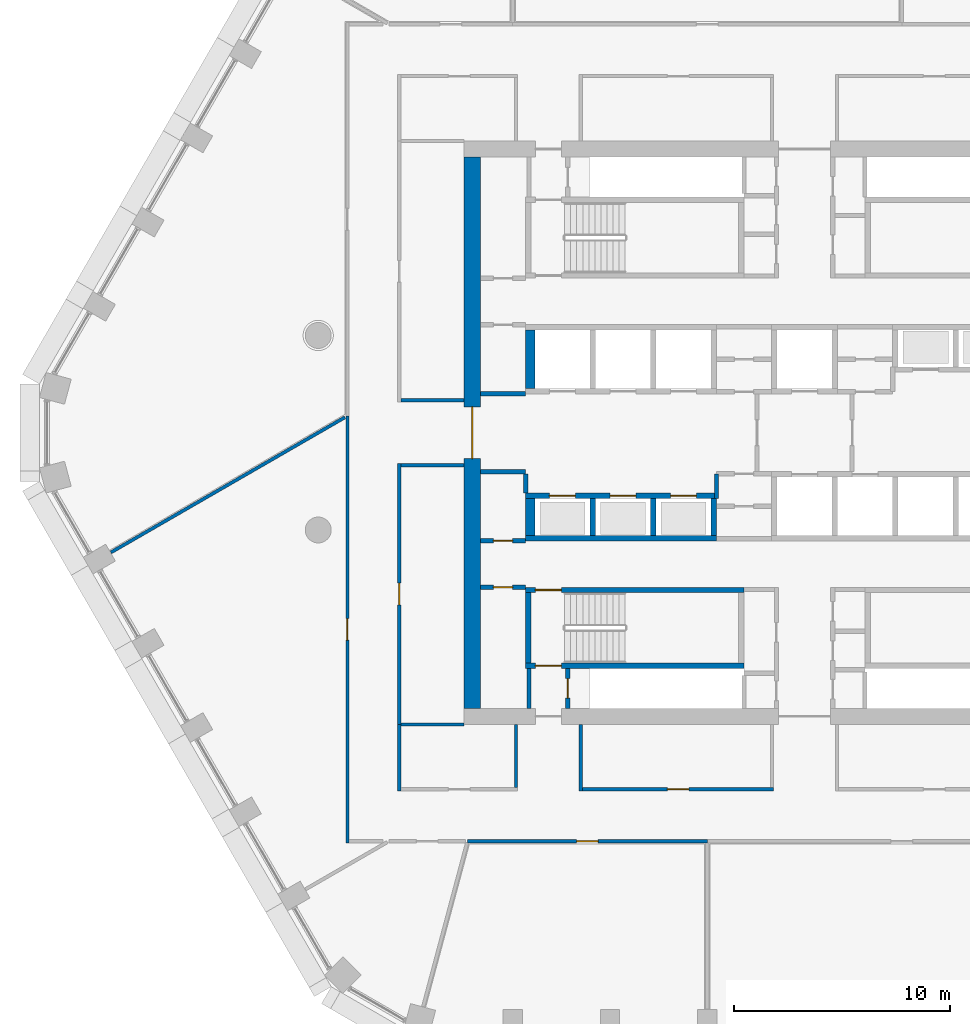
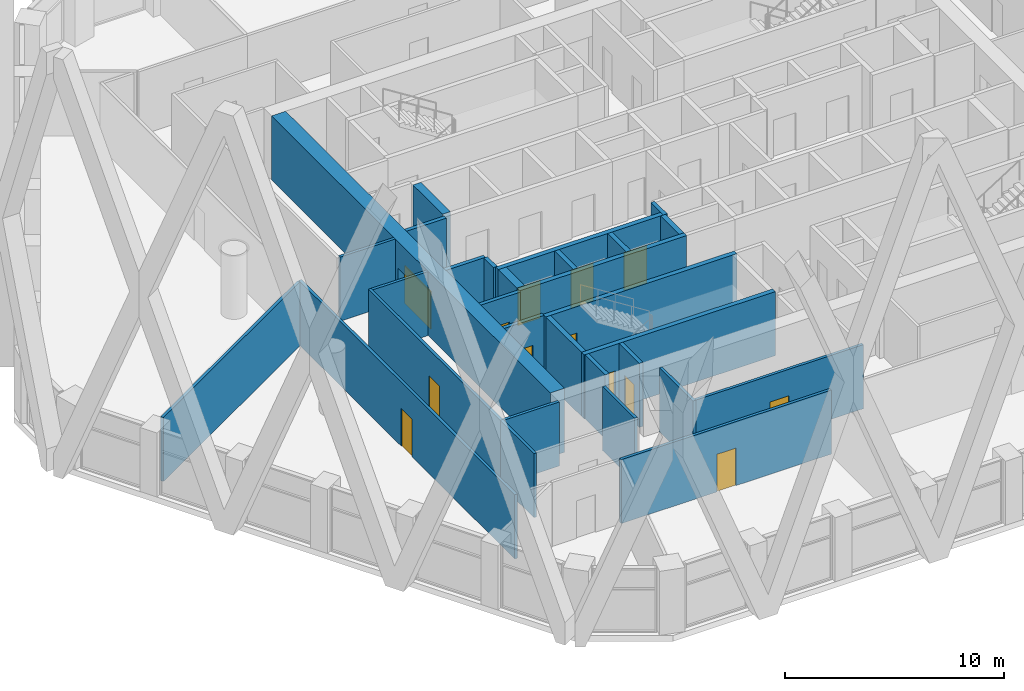
# One storey, part 9 of 24: 30 walls, 13 doors, 13 openings.
"""IFC4 building model written with IfcOpenShell, lengths in metres."""

from ifc_helpers import new_model, si_unit, direction, frame, frame_2d, origin, place, context, subcontext, project, spatial, polyline, rectangle, outline, extrude, material, layer, layer_set, type_object, element, fill, save


model = new_model("IFC4")

# Units and contexts
model_context = context("Model", 3, precision=1e-05, world=origin(), true_north=direction((0.0, 1.0)))
body_context = subcontext(model_context, "Body", "Model", "MODEL_VIEW")
ifc_project = project(units=[si_unit("LENGTHUNIT", "METRE"), si_unit("AREAUNIT", "SQUARE_METRE"), si_unit("VOLUMEUNIT", "CUBIC_METRE"), si_unit("PLANEANGLEUNIT", "RADIAN"), si_unit("MASSUNIT", "GRAM", prefix="KILO")], contexts=[model_context])

# Site, building, storey
site_placement = place(None, origin())
site = spatial("IfcSite", under=ifc_project, at=site_placement, CompositionType="ELEMENT")
building_placement = place(site_placement, origin())
building = spatial("IfcBuilding", under=site, at=building_placement, Name="Dhurran Vertical Campus", CompositionType="ELEMENT")
storey_placement = place(building_placement, frame((0.0, 0.0, 132.60009765625)))
storey = spatial("IfcBuildingStorey", under=building, at=storey_placement, Name="L32", CompositionType="ELEMENT", Elevation=132.60009765625)

# Wall, opening, door
ifc_material_1 = material(Name="Concrete C60/75", Category="concrete")
ifc_layer_1 = layer(ifc_material_1, 0.75)
ifc_layer_set_1 = layer_set([ifc_layer_1], Name="Concrete C60/75")
wall_type_1 = type_object("IfcWallType", Name="co-CORE-WALL-C1-750", PredefinedType="SHEAR", material=ifc_layer_set_1)
wall_1_placement = place(storey_placement, frame((-15.375, -12.75, 0.0), z_axis=(0.0, 0.0, 1.0), x_axis=(0.0, 1.0, 0.0)))
wall_1 = element("IfcWall", 1, at=wall_1_placement, inside=storey, type_object=wall_type_1, Name="Core wall W L32", PredefinedType="SHEAR", context=body_context, shape_type="SweptSolid", body=[
    extrude(rectangle(XDim=25.5, YDim=0.75, at=frame_2d((12.75, 0.0))), origin(), (0.0, 0.0, 1.0), 3.574951171875),
])
opening_1_placement = place(wall_1_placement, frame((11.550048828125, 0.0, 0.0)))
opening_1 = element("IfcOpeningElement", 2, at=opening_1_placement, cuts=wall_1, Name="Opening CL1", PredefinedType="OPENING", context=body_context, shape_type="SweptSolid", body=[
    extrude(rectangle(XDim=2.39990234375, YDim=2.10009765625, at=frame_2d((1.199951171875, 1.050048828125))), frame((0.0, 0.385009765625, 0.0), z_axis=(0.0, -1.0, 0.0), x_axis=(1.0, 0.0, 0.0)), (0.0, 0.0, 1.0), 0.77001953125),
])
ifc_material_2 = material(Name="Fire-rated glazed door set")
door_type_1 = type_object("IfcDoorType", Name="co-D-LOBBY 2400x2100", OperationType="DOUBLE_DOOR_DOUBLE_SWING", PredefinedType="DOOR", material=ifc_material_2)
door_1_placement = place(opening_1_placement, origin())
door_1 = element("IfcDoor", 3, at=door_1_placement, inside=storey, type_object=door_type_1, Name="Lift lobby door W L32", OperationType="DOUBLE_DOOR_DOUBLE_SWING", OverallHeight=2.10009765625, OverallWidth=2.39990234375, PredefinedType="DOOR", context=body_context, shape_type="SweptSolid", body=[
    extrude(rectangle(XDim=2.39990234375, YDim=2.10009765625, at=frame_2d((1.199951171875, 1.050048828125))), frame((0.0, 0.02490234375, 0.0), z_axis=(0.0, -1.0, 0.0), x_axis=(1.0, 0.0, 0.0)), (0.0, 0.0, 1.0), 0.050048828125),
])
fill(opening_1, door_1)

# Wall
ifc_material_3 = material(Name="Fire-rated masonry blockwork", Category="masonry")
ifc_layer_2 = layer(ifc_material_3, 0.199951171875)
ifc_layer_set_2 = layer_set([ifc_layer_2], Name="Fire-rated masonry blockwork")
wall_type_2 = type_object("IfcWallType", Name="co-FIRE-PARTITION-200", PredefinedType="PARTITIONING", material=ifc_layer_set_2)
wall_2_placement = place(storey_placement, frame((-12.75, -12.75, 0.0), z_axis=(0.0, 0.0, 1.0), x_axis=(0.0, 1.0, 0.0)))
element("IfcWall", 4, at=wall_2_placement, inside=storey, type_object=wall_type_2, Name="Core partition pass-ST3-o L32", PredefinedType="PARTITIONING", context=body_context, shape_type="SweptSolid", body=[
    extrude(rectangle(XDim=1.85009765625, YDim=0.199951171875, at=frame_2d((0.925048828125, 0.0))), origin(), (0.0, 0.0, 1.0), 3.574951171875),
])

# Wall, opening, door
wall_3_placement = place(storey_placement, frame((-10.949951171875, -12.75, 0.0), z_axis=(0.0, 0.0, 1.0), x_axis=(0.0, 1.0, 0.0)))
wall_3 = element("IfcWall", 5, at=wall_3_placement, inside=storey, type_object=wall_type_2, Name="Core partition pass-ST3-i L32", PredefinedType="PARTITIONING", context=body_context, shape_type="SweptSolid", body=[
    extrude(rectangle(XDim=1.85009765625, YDim=0.199951171875, at=frame_2d((0.925048828125, 0.0))), origin(), (0.0, 0.0, 1.0), 3.574951171875),
])
opening_2_placement = place(wall_3_placement, frame((0.47509765625, 0.0, 0.0)))
opening_2 = element("IfcOpeningElement", 6, at=opening_2_placement, cuts=wall_3, Name="Opening T09-C13", PredefinedType="OPENING", context=body_context, shape_type="SweptSolid", body=[
    extrude(rectangle(XDim=0.89990234375, YDim=2.10009765625, at=frame_2d((0.449951171875, 1.050048828125))), frame((0.0, 0.10986328125, 0.0), z_axis=(0.0, -1.0, 0.0), x_axis=(1.0, 0.0, 0.0)), (0.0, 0.0, 1.0), 0.219970703125),
])
ifc_material_4 = material(Name="Fire-rated timber door set", Category="wood")
door_type_2 = type_object("IfcDoorType", Name="co-D-ROOM 900x2100", OperationType="SINGLE_SWING_LEFT", PredefinedType="DOOR", material=ifc_material_4)
door_2_placement = place(opening_2_placement, origin())
door_2 = element("IfcDoor", 7, at=door_2_placement, inside=storey, type_object=door_type_2, Name="Riser room door L32", OperationType="SINGLE_SWING_LEFT", OverallHeight=2.10009765625, OverallWidth=0.89990234375, PredefinedType="DOOR", context=body_context, shape_type="SweptSolid", body=[
    extrude(rectangle(XDim=0.89990234375, YDim=2.10009765625, at=frame_2d((0.449951171875, 1.050048828125))), frame((0.0, 0.02490234375, 0.0), z_axis=(0.0, -1.0, 0.0), x_axis=(1.0, 0.0, 0.0)), (0.0, 0.0, 1.0), 0.050048828125),
])
fill(opening_2, door_2)

# Wall
wall_4_placement = place(storey_placement, frame((-15.0, 1.800048828125, 0.0), z_axis=(0.0, 0.0, 1.0), x_axis=(1.0, 0.0, 0.0)))
element("IfcWall", 8, at=wall_4_placement, inside=storey, type_object=wall_type_2, Name="Core partition es-NW-l L32", PredefinedType="PARTITIONING", context=body_context, shape_type="SweptSolid", body=[
    extrude(rectangle(XDim=2.10009765625, YDim=0.199951171875, at=frame_2d((1.050048828125, 0.0))), origin(), (0.0, 0.0, 1.0), 3.574951171875),
])

# Wall, opening, door
wall_5_placement = place(storey_placement, frame((-15.0, -7.14990234375, 0.0), z_axis=(0.0, 0.0, 1.0), x_axis=(1.0, 0.0, 0.0)))
wall_5 = element("IfcWall", 9, at=wall_5_placement, inside=storey, type_object=wall_type_2, Name="Core partition en-SW-w L32", PredefinedType="PARTITIONING", context=body_context, shape_type="SweptSolid", body=[
    extrude(rectangle(XDim=2.10009765625, YDim=0.199951171875, at=frame_2d((1.050048828125, 0.0))), origin(), (0.0, 0.0, 1.0), 3.574951171875),
])
opening_3_placement = place(wall_5_placement, frame((0.60009765625, 0.0, 0.0)))
opening_3 = element("IfcOpeningElement", 10, at=opening_3_placement, cuts=wall_5, Name="Opening T09-C19", PredefinedType="OPENING", context=body_context, shape_type="SweptSolid", body=[
    extrude(rectangle(XDim=0.89990234375, YDim=2.10009765625, at=frame_2d((0.449951171875, 1.050048828125))), frame((0.0, 0.10986328125, 0.0), z_axis=(0.0, -1.0, 0.0), x_axis=(1.0, 0.0, 0.0)), (0.0, 0.0, 1.0), 0.219970703125),
])
door_3_placement = place(opening_3_placement, origin())
door_3 = element("IfcDoor", 11, at=door_3_placement, inside=storey, type_object=door_type_2, Name="Print room door L32", OperationType="SINGLE_SWING_LEFT", OverallHeight=2.10009765625, OverallWidth=0.89990234375, PredefinedType="DOOR", context=body_context, shape_type="SweptSolid", body=[
    extrude(rectangle(XDim=0.89990234375, YDim=2.10009765625, at=frame_2d((0.449951171875, 1.050048828125))), frame((0.0, 0.02490234375, 0.0), z_axis=(0.0, -1.0, 0.0), x_axis=(1.0, 0.0, 0.0)), (0.0, 0.0, 1.0), 0.050048828125),
])
fill(opening_3, door_3)

wall_6_placement = place(storey_placement, frame((-15.0, -5.0, 0.0), z_axis=(0.0, 0.0, 1.0), x_axis=(1.0, 0.0, 0.0)))
wall_6 = element("IfcWall", 12, at=wall_6_placement, inside=storey, type_object=wall_type_2, Name="Core partition es-SW-w L32", PredefinedType="PARTITIONING", context=body_context, shape_type="SweptSolid", body=[
    extrude(rectangle(XDim=2.10009765625, YDim=0.199951171875, at=frame_2d((1.050048828125, 0.0))), origin(), (0.0, 0.0, 1.0), 3.574951171875),
])
opening_4_placement = place(wall_6_placement, frame((0.60009765625, 0.0, 0.0)))
opening_4 = element("IfcOpeningElement", 13, at=opening_4_placement, cuts=wall_6, Name="Opening T09-C20", PredefinedType="OPENING", context=body_context, shape_type="SweptSolid", body=[
    extrude(rectangle(XDim=0.89990234375, YDim=2.10009765625, at=frame_2d((0.449951171875, 1.050048828125))), frame((0.0, 0.10986328125, 0.0), z_axis=(0.0, -1.0, 0.0), x_axis=(1.0, 0.0, 0.0)), (0.0, 0.0, 1.0), 0.219970703125),
])
door_4_placement = place(opening_4_placement, origin())
door_4 = element("IfcDoor", 14, at=door_4_placement, inside=storey, type_object=door_type_2, Name="Water riser door L32", OperationType="SINGLE_SWING_LEFT", OverallHeight=2.10009765625, OverallWidth=0.89990234375, PredefinedType="DOOR", context=body_context, shape_type="SweptSolid", body=[
    extrude(rectangle(XDim=0.89990234375, YDim=2.10009765625, at=frame_2d((0.449951171875, 1.050048828125))), frame((0.0, 0.02490234375, 0.0), z_axis=(0.0, -1.0, 0.0), x_axis=(1.0, 0.0, 0.0)), (0.0, 0.0, 1.0), 0.050048828125),
])
fill(opening_4, door_4)

# Walls
wall_7_placement = place(storey_placement, frame((-15.0, -1.800048828125, 0.0), z_axis=(0.0, 0.0, 1.0), x_axis=(1.0, 0.0, 0.0)))
element("IfcWall", 15, at=wall_7_placement, inside=storey, type_object=wall_type_2, Name="Core partition es-SW-l L32", PredefinedType="PARTITIONING", context=body_context, shape_type="SweptSolid", body=[
    extrude(rectangle(XDim=2.10009765625, YDim=0.199951171875, at=frame_2d((1.050048828125, 0.0))), origin(), (0.0, 0.0, 1.0), 3.574951171875),
])
wall_8_placement = place(storey_placement, frame((-4.074951171875, -1.89990234375, 0.0), z_axis=(0.0, 0.0, 1.0), x_axis=(0.0, -1.0, 0.0)))
element("IfcWall", 16, at=wall_8_placement, inside=storey, type_object=wall_type_2, Name="Core partition fr-S0-n0 L32", PredefinedType="PARTITIONING", context=body_context, shape_type="SweptSolid", body=[
    extrude(rectangle(XDim=1.150146484375, YDim=0.199951171875, at=frame_2d((0.5751953125, 0.0))), origin(), (0.0, 0.0, 1.0), 3.574951171875),
])
wall_9_placement = place(storey_placement, frame((-12.89990234375, -2.799072265625, 0.0), z_axis=(0.0, 0.0, 1.0), x_axis=(0.0, 1.0, 0.0)))
element("IfcWall", 17, at=wall_9_placement, inside=storey, type_object=wall_type_2, Name="Riser enclosure wall L32", PredefinedType="PARTITIONING", context=body_context, shape_type="SweptSolid", body=[
    extrude(rectangle(XDim=0.898193359375, YDim=0.199951171875, at=frame_2d((0.44921875, 0.0))), origin(), (0.0, 0.0, 1.0), 3.574951171875),
])

# Wall, openings, doors
ifc_material_5 = material(Name="Concrete C50/60", Category="concrete")
ifc_layer_3 = layer(ifc_material_5, 0.25)
ifc_layer_set_3 = layer_set([ifc_layer_3], Name="Concrete C50/60")
wall_type_3 = type_object("IfcWallType", Name="co-SHAFT-FRONT-250", PredefinedType="SHEAR", material=ifc_layer_set_3)
wall_10_placement = place(storey_placement, frame((-12.89990234375, -2.925048828125, 0.0), z_axis=(0.0, 0.0, 1.0), x_axis=(1.0, 0.0, 0.0)))
wall_10 = element("IfcWall", 18, at=wall_10_placement, inside=storey, type_object=wall_type_3, Name="Lift landing wall S L32", PredefinedType="SHEAR", context=body_context, shape_type="SweptSolid", body=[
    extrude(rectangle(XDim=8.824951171875, YDim=0.25, at=frame_2d((4.41259765625, 0.0))), origin(), (0.0, 0.0, 1.0), 3.574951171875),
])
opening_5_placement = place(wall_10_placement, frame((1.10009765625, 0.0, 0.0)))
opening_5 = element("IfcOpeningElement", 19, at=opening_5_placement, cuts=wall_10, Name="Opening LD", PredefinedType="OPENING", context=body_context, shape_type="SweptSolid", body=[
    extrude(rectangle(XDim=1.199951171875, YDim=2.10009765625, at=frame_2d((0.60009765625, 1.050048828125))), frame((0.0, 0.135009765625, 0.0), z_axis=(0.0, -1.0, 0.0), x_axis=(1.0, 0.0, 0.0)), (0.0, 0.0, 1.0), 0.27001953125),
])
opening_6_placement = place(wall_10_placement, frame((3.89990234375, 0.0, 0.0)))
opening_6 = element("IfcOpeningElement", 20, at=opening_6_placement, cuts=wall_10, Name="Opening LD", PredefinedType="OPENING", context=body_context, shape_type="SweptSolid", body=[
    extrude(rectangle(XDim=1.199951171875, YDim=2.10009765625, at=frame_2d((0.60009765625, 1.050048828125))), frame((0.0, 0.135009765625, 0.0), z_axis=(0.0, -1.0, 0.0), x_axis=(1.0, 0.0, 0.0)), (0.0, 0.0, 1.0), 0.27001953125),
])
opening_7_placement = place(wall_10_placement, frame((6.699951171875, 0.0, 0.0)))
opening_7 = element("IfcOpeningElement", 21, at=opening_7_placement, cuts=wall_10, Name="Opening LD", PredefinedType="OPENING", context=body_context, shape_type="SweptSolid", body=[
    extrude(rectangle(XDim=1.199951171875, YDim=2.10009765625, at=frame_2d((0.60009765625, 1.050048828125))), frame((0.0, 0.135009765625, 0.0), z_axis=(0.0, -1.0, 0.0), x_axis=(1.0, 0.0, 0.0)), (0.0, 0.0, 1.0), 0.27001953125),
])
ifc_material_6 = material(Name="Stainless steel landing door", Category="steel")
door_type_3 = type_object("IfcDoorType", Name="co-D-LANDING 1200x2100", OperationType="DOUBLE_DOOR_SLIDING", PredefinedType="DOOR", material=ifc_material_6)
door_5_placement = place(opening_5_placement, origin())
door_5 = element("IfcDoor", 22, at=door_5_placement, inside=storey, type_object=door_type_3, Name="Landing door MR3 L32", OperationType="DOUBLE_DOOR_SLIDING", OverallHeight=2.10009765625, OverallWidth=1.199951171875, PredefinedType="DOOR", context=body_context, shape_type="SweptSolid", body=[
    extrude(rectangle(XDim=1.199951171875, YDim=2.10009765625, at=frame_2d((0.60009765625, 1.050048828125))), frame((0.0, 0.02490234375, 0.0), z_axis=(0.0, -1.0, 0.0), x_axis=(1.0, 0.0, 0.0)), (0.0, 0.0, 1.0), 0.050048828125),
])
fill(opening_5, door_5)
door_6_placement = place(opening_6_placement, origin())
door_6 = element("IfcDoor", 23, at=door_6_placement, inside=storey, type_object=door_type_3, Name="Landing door MR4 L32", OperationType="DOUBLE_DOOR_SLIDING", OverallHeight=2.10009765625, OverallWidth=1.199951171875, PredefinedType="DOOR", context=body_context, shape_type="SweptSolid", body=[
    extrude(rectangle(XDim=1.199951171875, YDim=2.10009765625, at=frame_2d((0.60009765625, 1.050048828125))), frame((0.0, 0.02490234375, 0.0), z_axis=(0.0, -1.0, 0.0), x_axis=(1.0, 0.0, 0.0)), (0.0, 0.0, 1.0), 0.050048828125),
])
fill(opening_6, door_6)
door_7_placement = place(opening_7_placement, origin())
door_7 = element("IfcDoor", 24, at=door_7_placement, inside=storey, type_object=door_type_3, Name="Landing door MR5 L32", OperationType="DOUBLE_DOOR_SLIDING", OverallHeight=2.10009765625, OverallWidth=1.199951171875, PredefinedType="DOOR", context=body_context, shape_type="SweptSolid", body=[
    extrude(rectangle(XDim=1.199951171875, YDim=2.10009765625, at=frame_2d((0.60009765625, 1.050048828125))), frame((0.0, 0.02490234375, 0.0), z_axis=(0.0, -1.0, 0.0), x_axis=(1.0, 0.0, 0.0)), (0.0, 0.0, 1.0), 0.050048828125),
])
fill(opening_7, door_7)

# Walls
ifc_material_7 = material(Name="Concrete C50/60", Category="concrete")
ifc_layer_4 = layer(ifc_material_7, 0.25)
ifc_layer_set_4 = layer_set([ifc_layer_4], Name="Concrete C50/60")
wall_type_4 = type_object("IfcWallType", Name="co-SHAFT-MASS-250", PredefinedType="SHEAR", material=ifc_layer_set_4)
wall_11_placement = place(storey_placement, origin())
element("IfcWall", 25, at=wall_11_placement, inside=storey, type_object=wall_type_4, Name="Lift shaft wall N L32 4", PredefinedType="SHEAR", context=body_context, shape_type="SweptSolid", body=[
    extrude(outline(polyline([(-12.89990234375, 2.050048828125), (-12.47509765625, 2.050048828125), (-12.47509765625, 4.75), (-12.89990234375, 4.75), (-12.89990234375, 2.050048828125)])), origin(), (0.0, 0.0, 1.0), 3.574951171875),
])
wall_12_placement = place(storey_placement, origin())
element("IfcWall", 26, at=wall_12_placement, inside=storey, type_object=wall_type_4, Name="Lift shaft wall S L32 1", PredefinedType="SHEAR", context=body_context, shape_type="SweptSolid", body=[
    extrude(outline(polyline([(-12.89990234375, -5.0), (-4.074951171875, -5.0), (-4.074951171875, -4.75), (-12.89990234375, -4.75), (-12.89990234375, -5.0)])), origin(), (0.0, 0.0, 1.0), 3.574951171875),
])
wall_13_placement = place(storey_placement, origin())
element("IfcWall", 27, at=wall_13_placement, inside=storey, type_object=wall_type_4, Name="Lift shaft wall S L32 3", PredefinedType="SHEAR", context=body_context, shape_type="SweptSolid", body=[
    extrude(outline(polyline([(-12.89990234375, -4.75), (-12.47509765625, -4.75), (-12.47509765625, -3.050048828125), (-12.89990234375, -3.050048828125), (-12.89990234375, -4.75)])), origin(), (0.0, 0.0, 1.0), 3.574951171875),
])
wall_14_placement = place(storey_placement, origin())
element("IfcWall", 28, at=wall_14_placement, inside=storey, type_object=wall_type_4, Name="Lift shaft wall S L32 4", PredefinedType="SHEAR", context=body_context, shape_type="SweptSolid", body=[
    extrude(outline(polyline([(-9.925048828125, -4.75), (-9.675048828125, -4.75), (-9.675048828125, -3.050048828125), (-9.925048828125, -3.050048828125), (-9.925048828125, -4.75)])), origin(), (0.0, 0.0, 1.0), 3.574951171875),
])
wall_15_placement = place(storey_placement, origin())
element("IfcWall", 29, at=wall_15_placement, inside=storey, type_object=wall_type_4, Name="Lift shaft wall S L32 5", PredefinedType="SHEAR", context=body_context, shape_type="SweptSolid", body=[
    extrude(outline(polyline([(-7.125, -4.75), (-6.875, -4.75), (-6.875, -3.050048828125), (-7.125, -3.050048828125), (-7.125, -4.75)])), origin(), (0.0, 0.0, 1.0), 3.574951171875),
])
wall_16_placement = place(storey_placement, origin())
element("IfcWall", 30, at=wall_16_placement, inside=storey, type_object=wall_type_4, Name="Lift shaft wall S L32 6", PredefinedType="SHEAR", context=body_context, shape_type="SweptSolid", body=[
    extrude(outline(polyline([(-4.324951171875, -4.75), (-4.074951171875, -4.75), (-4.074951171875, -3.050048828125), (-4.324951171875, -3.050048828125), (-4.324951171875, -4.75)])), origin(), (0.0, 0.0, 1.0), 3.574951171875),
])

# Wall, opening, door
ifc_material_8 = material(Name="Concrete C40/50", Category="concrete")
ifc_layer_5 = layer(ifc_material_8, 0.25)
ifc_layer_set_5 = layer_set([ifc_layer_5], Name="Concrete C40/50")
wall_type_5 = type_object("IfcWallType", Name="co-STAIR-WALL-250", PredefinedType="SHEAR", material=ifc_layer_set_5)
wall_17_placement = place(storey_placement, frame((-12.89990234375, -10.77490234375, 0.0), z_axis=(0.0, 0.0, 1.0), x_axis=(1.0, 0.0, 0.0)))
wall_17 = element("IfcWall", 31, at=wall_17_placement, inside=storey, type_object=wall_type_5, Name="Stair ST3 enclosure wall L32", PredefinedType="SHEAR", context=body_context, shape_type="SweptSolid", body=[
    extrude(rectangle(XDim=10.099853515625, YDim=0.25, at=frame_2d((5.0498046875, 0.0))), origin(), (0.0, 0.0, 1.0), 3.574951171875),
])
opening_8_placement = place(wall_17_placement, frame((0.449951171875, 0.0, 0.0)))
opening_8 = element("IfcOpeningElement", 32, at=opening_8_placement, cuts=wall_17, Name="Opening XS3", PredefinedType="OPENING", context=body_context, shape_type="SweptSolid", body=[
    extrude(rectangle(XDim=1.199951171875, YDim=2.10009765625, at=frame_2d((0.60009765625, 1.050048828125))), frame((0.0, 0.135009765625, 0.0), z_axis=(0.0, -1.0, 0.0), x_axis=(1.0, 0.0, 0.0)), (0.0, 0.0, 1.0), 0.27001953125),
])
ifc_material_9 = material(Name="Fire-rated steel door set", Category="steel")
door_type_4 = type_object("IfcDoorType", Name="co-D-STAIR-EXIT 1200x2100", OperationType="SINGLE_SWING_RIGHT", PredefinedType="DOOR", material=ifc_material_9)
door_8_placement = place(opening_8_placement, origin())
door_8 = element("IfcDoor", 33, at=door_8_placement, inside=storey, type_object=door_type_4, Name="Stair ST3 discharge door L32", OperationType="SINGLE_SWING_RIGHT", OverallHeight=2.10009765625, OverallWidth=1.199951171875, PredefinedType="DOOR", context=body_context, shape_type="SweptSolid", body=[
    extrude(rectangle(XDim=1.199951171875, YDim=2.10009765625, at=frame_2d((0.60009765625, 1.050048828125))), frame((0.0, 0.02490234375, 0.0), z_axis=(0.0, -1.0, 0.0), x_axis=(1.0, 0.0, 0.0)), (0.0, 0.0, 1.0), 0.050048828125),
])
fill(opening_8, door_8)

wall_18_placement = place(storey_placement, frame((-12.89990234375, -7.27490234375, 0.0), z_axis=(0.0, 0.0, 1.0), x_axis=(1.0, 0.0, 0.0)))
wall_18 = element("IfcWall", 34, at=wall_18_placement, inside=storey, type_object=wall_type_5, Name="Stair ST3 enclosure wall L32", PredefinedType="SHEAR", context=body_context, shape_type="SweptSolid", body=[
    extrude(rectangle(XDim=10.099853515625, YDim=0.25, at=frame_2d((5.0498046875, 0.0))), origin(), (0.0, 0.0, 1.0), 3.574951171875),
])
opening_9_placement = place(wall_18_placement, frame((0.449951171875, 0.0, 0.0)))
opening_9 = element("IfcOpeningElement", 35, at=opening_9_placement, cuts=wall_18, Name="Opening SD3", PredefinedType="OPENING", context=body_context, shape_type="SweptSolid", body=[
    extrude(rectangle(XDim=1.199951171875, YDim=2.10009765625, at=frame_2d((0.60009765625, 1.050048828125))), frame((0.0, 0.135009765625, 0.0), z_axis=(0.0, -1.0, 0.0), x_axis=(1.0, 0.0, 0.0)), (0.0, 0.0, 1.0), 0.27001953125),
])
ifc_material_10 = material(Name="Fire-rated steel door set", Category="steel")
door_type_5 = type_object("IfcDoorType", Name="co-D-STAIR 1200x2100", OperationType="SINGLE_SWING_LEFT", PredefinedType="DOOR", material=ifc_material_10)
door_9_placement = place(opening_9_placement, origin())
door_9 = element("IfcDoor", 36, at=door_9_placement, inside=storey, type_object=door_type_5, Name="Stair ST3 door L32", OperationType="SINGLE_SWING_LEFT", OverallHeight=2.10009765625, OverallWidth=1.199951171875, PredefinedType="DOOR", context=body_context, shape_type="SweptSolid", body=[
    extrude(rectangle(XDim=1.199951171875, YDim=2.10009765625, at=frame_2d((0.60009765625, 1.050048828125))), frame((0.0, 0.02490234375, 0.0), z_axis=(0.0, -1.0, 0.0), x_axis=(1.0, 0.0, 0.0)), (0.0, 0.0, 1.0), 0.050048828125),
])
fill(opening_9, door_9)

# Wall
wall_19_placement = place(storey_placement, frame((-12.77490234375, -10.64990234375, 0.0), z_axis=(0.0, 0.0, 1.0), x_axis=(0.0, 1.0, 0.0)))
element("IfcWall", 37, at=wall_19_placement, inside=storey, type_object=wall_type_5, Name="Stair ST3 enclosure wall L32", PredefinedType="SHEAR", context=body_context, shape_type="SweptSolid", body=[
    extrude(rectangle(XDim=3.25, YDim=0.25, at=frame_2d((1.625, 0.0))), origin(), (0.0, 0.0, 1.0), 3.574951171875),
])

# Wall, opening, door
ifc_material_11 = material(Name="Gypsum board corridor wall on steel studs", Category="steel")
ifc_layer_6 = layer(ifc_material_11, 0.14990234375)
ifc_layer_set_6 = layer_set([ifc_layer_6], Name="Gypsum board corridor wall on steel studs")
wall_type_6 = type_object("IfcWallType", Name="fl-CW-150 corridor wall", PredefinedType="PARTITIONING", material=ifc_layer_set_6)
wall_20_placement = place(storey_placement, frame((-21.14990234375, 0.779052734375, 0.0), z_axis=(0.0, 0.0, 1.0), x_axis=(0.0, -1.0, 0.0)))
wall_20 = element("IfcWall", 38, at=wall_20_placement, inside=storey, type_object=wall_type_6, Name="Partition 32-04", PredefinedType="PARTITIONING", context=body_context, shape_type="SweptSolid", body=[
    extrude(rectangle(XDim=19.754150390625, YDim=0.14990234375, at=frame_2d((9.876953125, 0.0))), origin(), (0.0, 0.0, 1.0), 3.574951171875),
])
opening_10_placement = place(wall_20_placement, frame((9.376953125, 0.0, 0.0)))
opening_10 = element("IfcOpeningElement", 39, at=opening_10_placement, cuts=wall_20, Name="Opening T09.02", PredefinedType="OPENING", context=body_context, shape_type="SweptSolid", body=[
    extrude(rectangle(XDim=1.0, YDim=2.10009765625, at=frame_2d((0.5, 1.050048828125))), frame((0.0, 0.0849609375, 0.0), z_axis=(0.0, -1.0, 0.0), x_axis=(1.0, 0.0, 0.0)), (0.0, 0.0, 1.0), 0.169921875),
])
ifc_material_12 = material(Name="Solid-core timber door set, fire-rated", Category="wood")
door_type_6 = type_object("IfcDoorType", Name="fl-D-1000x2100", OperationType="SINGLE_SWING_LEFT", PredefinedType="DOOR", material=ifc_material_12)
door_10_placement = place(opening_10_placement, origin())
door_10 = element("IfcDoor", 40, at=door_10_placement, inside=storey, type_object=door_type_6, Name="Door 32.02", OperationType="SINGLE_SWING_RIGHT", OverallHeight=2.10009765625, OverallWidth=1.0, PredefinedType="DOOR", context=body_context, shape_type="SweptSolid", body=[
    extrude(rectangle(XDim=1.0, YDim=2.10009765625, at=frame_2d((0.5, 1.050048828125))), frame((0.0, 0.02490234375, 0.0), z_axis=(0.0, -1.0, 0.0), x_axis=(1.0, 0.0, 0.0)), (0.0, 0.0, 1.0), 0.050048828125),
])
fill(opening_10, door_10)

# Wall
wall_21_placement = place(storey_placement, frame((-18.75, -16.574951171875, 0.0), z_axis=(0.0, 0.0, 1.0), x_axis=(0.0, 1.0, 0.0)))
element("IfcWall", 41, at=wall_21_placement, inside=storey, type_object=wall_type_6, Name="Partition 32-10", PredefinedType="PARTITIONING", context=body_context, shape_type="SweptSolid", body=[
    extrude(rectangle(XDim=3.074951171875, YDim=0.14990234375, at=frame_2d((1.53759765625, 0.0))), origin(), (0.0, 0.0, 1.0), 3.574951171875),
])

# Wall, opening, door
wall_22_placement = place(storey_placement, frame((-18.75, -13.5, 0.0), z_axis=(0.0, 0.0, 1.0), x_axis=(0.0, 1.0, 0.0)))
wall_22 = element("IfcWall", 42, at=wall_22_placement, inside=storey, type_object=wall_type_6, Name="Partition 32-12", PredefinedType="PARTITIONING", context=body_context, shape_type="SweptSolid", body=[
    extrude(rectangle(XDim=12.074951171875, YDim=0.14990234375, at=frame_2d((6.03759765625, 0.0))), origin(), (0.0, 0.0, 1.0), 3.574951171875),
])
opening_11_placement = place(wall_22_placement, frame((5.53759765625, 0.0, 0.0)))
opening_11 = element("IfcOpeningElement", 43, at=opening_11_placement, cuts=wall_22, Name="Opening T09.05", PredefinedType="OPENING", context=body_context, shape_type="SweptSolid", body=[
    extrude(rectangle(XDim=1.0, YDim=2.10009765625, at=frame_2d((0.5, 1.050048828125))), frame((0.0, 0.0849609375, 0.0), z_axis=(0.0, -1.0, 0.0), x_axis=(1.0, 0.0, 0.0)), (0.0, 0.0, 1.0), 0.169921875),
])
door_11_placement = place(opening_11_placement, origin())
door_11 = element("IfcDoor", 44, at=door_11_placement, inside=storey, type_object=door_type_6, Name="Door 32.05", OperationType="SINGLE_SWING_RIGHT", OverallHeight=2.10009765625, OverallWidth=1.0, PredefinedType="DOOR", context=body_context, shape_type="SweptSolid", body=[
    extrude(rectangle(XDim=1.0, YDim=2.10009765625, at=frame_2d((0.5, 1.050048828125))), frame((0.0, 0.02490234375, 0.0), z_axis=(0.0, -1.0, 0.0), x_axis=(1.0, 0.0, 0.0)), (0.0, 0.0, 1.0), 0.050048828125),
])
fill(opening_11, door_11)

# Walls
for number, where, z_axis, x_axis, name in (
    (45, (-18.675048828125, -1.5, 0.0), (0.0, 0.0, 1.0), (1.0, 0.0, 0.0), "Partition 32-14"),
    (46, (-15.75, 1.5, 0.0), (0.0, 0.0, 1.0), (-1.0, 0.0, 0.0), "Partition 32-16"),
):
    element("IfcWall", number, at=place(storey_placement, frame(where, z_axis=z_axis, x_axis=x_axis)), inside=storey, type_object=wall_type_6, Name=name, PredefinedType="PARTITIONING", context=body_context, shape_type="SweptSolid", body=[
        extrude(rectangle(XDim=2.925048828125, YDim=0.14990234375, at=frame_2d((1.46240234375, 0.0))), origin(), (0.0, 0.0, 1.0), 3.574951171875),
    ])

# Wall, opening, door
wall_23_placement = place(storey_placement, frame((-15.593017578125, -18.89990234375, 0.0), z_axis=(0.0, 0.0, 1.0), x_axis=(1.0, 0.0, 0.0)))
wall_23 = element("IfcWall", 47, at=wall_23_placement, inside=storey, type_object=wall_type_6, Name="Partition 32-21", PredefinedType="PARTITIONING", context=body_context, shape_type="SweptSolid", body=[
    extrude(rectangle(XDim=11.093017578125, YDim=0.14990234375, at=frame_2d((5.54638671875, 0.0))), origin(), (0.0, 0.0, 1.0), 3.574951171875),
])
opening_12_placement = place(wall_23_placement, frame((5.04638671875, 0.0, 0.0)))
opening_12 = element("IfcOpeningElement", 48, at=opening_12_placement, cuts=wall_23, Name="Opening T09.09", PredefinedType="OPENING", context=body_context, shape_type="SweptSolid", body=[
    extrude(rectangle(XDim=1.0, YDim=2.10009765625, at=frame_2d((0.5, 1.050048828125))), frame((0.0, 0.0849609375, 0.0), z_axis=(0.0, -1.0, 0.0), x_axis=(1.0, 0.0, 0.0)), (0.0, 0.0, 1.0), 0.169921875),
])
door_12_placement = place(opening_12_placement, origin())
door_12 = element("IfcDoor", 49, at=door_12_placement, inside=storey, type_object=door_type_6, Name="Door 32.09", OperationType="SINGLE_SWING_RIGHT", OverallHeight=2.10009765625, OverallWidth=1.0, PredefinedType="DOOR", context=body_context, shape_type="SweptSolid", body=[
    extrude(rectangle(XDim=1.0, YDim=2.10009765625, at=frame_2d((0.5, 1.050048828125))), frame((0.0, 0.02490234375, 0.0), z_axis=(0.0, -1.0, 0.0), x_axis=(1.0, 0.0, 0.0)), (0.0, 0.0, 1.0), 0.050048828125),
])
fill(opening_12, door_12)

# Walls
wall_24_placement = place(storey_placement, frame((-13.35009765625, -13.5, 0.0), z_axis=(0.0, 0.0, 1.0), x_axis=(0.0, -1.0, 0.0)))
element("IfcWall", 50, at=wall_24_placement, inside=storey, type_object=wall_type_6, Name="Partition 32-24", PredefinedType="PARTITIONING", context=body_context, shape_type="SweptSolid", body=[
    extrude(rectangle(XDim=2.925048828125, YDim=0.14990234375, at=frame_2d((1.46240234375, 0.0))), origin(), (0.0, 0.0, 1.0), 3.574951171875),
])
wall_25_placement = place(storey_placement, frame((-10.35009765625, -16.574951171875, 0.0), z_axis=(0.0, 0.0, 1.0), x_axis=(0.0, 1.0, 0.0)))
element("IfcWall", 51, at=wall_25_placement, inside=storey, type_object=wall_type_6, Name="Partition 32-26", PredefinedType="PARTITIONING", context=body_context, shape_type="SweptSolid", body=[
    extrude(rectangle(XDim=3.074951171875, YDim=0.14990234375, at=frame_2d((1.53759765625, 0.0))), origin(), (0.0, 0.0, 1.0), 3.574951171875),
])

# Wall, opening, door
wall_26_placement = place(storey_placement, frame((-1.425048828125, -16.5, 0.0), z_axis=(0.0, 0.0, 1.0), x_axis=(-1.0, 0.0, 0.0)))
wall_26 = element("IfcWall", 52, at=wall_26_placement, inside=storey, type_object=wall_type_6, Name="Partition 32-27", PredefinedType="PARTITIONING", context=body_context, shape_type="SweptSolid", body=[
    extrude(rectangle(XDim=8.849853515625, YDim=0.14990234375, at=frame_2d((4.4248046875, 0.0))), origin(), (0.0, 0.0, 1.0), 3.574951171875),
])
opening_13_placement = place(wall_26_placement, frame((3.925048828125, 0.0, 0.0)))
opening_13 = element("IfcOpeningElement", 53, at=opening_13_placement, cuts=wall_26, Name="Opening T09.10", PredefinedType="OPENING", context=body_context, shape_type="SweptSolid", body=[
    extrude(rectangle(XDim=1.0, YDim=2.10009765625, at=frame_2d((0.5, 1.050048828125))), frame((0.0, 0.0849609375, 0.0), z_axis=(0.0, -1.0, 0.0), x_axis=(1.0, 0.0, 0.0)), (0.0, 0.0, 1.0), 0.169921875),
])
door_13_placement = place(opening_13_placement, origin())
door_13 = element("IfcDoor", 54, at=door_13_placement, inside=storey, type_object=door_type_6, Name="Door 32.10", OperationType="SINGLE_SWING_RIGHT", OverallHeight=2.10009765625, OverallWidth=1.0, PredefinedType="DOOR", context=body_context, shape_type="SweptSolid", body=[
    extrude(rectangle(XDim=1.0, YDim=2.10009765625, at=frame_2d((0.5, 1.050048828125))), frame((0.0, 0.02490234375, 0.0), z_axis=(0.0, -1.0, 0.0), x_axis=(1.0, 0.0, 0.0)), (0.0, 0.0, 1.0), 0.050048828125),
])
fill(opening_13, door_13)

# Walls
ifc_material_13 = material(Name="Gypsum board partition on steel studs", Category="steel")
ifc_layer_7 = layer(ifc_material_13, 0.14990234375)
ifc_layer_set_7 = layer_set([ifc_layer_7], Name="Gypsum board partition on steel studs")
wall_type_7 = type_object("IfcWallType", Name="fl-PW-150 fixed partition", PredefinedType="PARTITIONING", material=ifc_layer_set_7)
wall_27_placement = place(storey_placement, frame((-21.2626953125, 0.714111328125, 0.0), z_axis=(0.0, 0.0, 1.0), x_axis=(-0.866034381457, -0.499984449893, 0.0)))
element("IfcWall", 55, at=wall_27_placement, inside=storey, type_object=wall_type_7, Name="Partition 32-01", PredefinedType="PARTITIONING", context=body_context, shape_type="SweptSolid", body=[
    extrude(rectangle(XDim=12.5029296875, YDim=0.14990234375, at=frame_2d((6.25146484375, 0.0))), origin(), (0.0, 0.0, 1.0), 3.574951171875),
])
wall_28_placement = place(storey_placement, frame((-15.75, -13.5, 0.0), z_axis=(0.0, 0.0, 1.0), x_axis=(-1.0, 0.0, 0.0)))
element("IfcWall", 56, at=wall_28_placement, inside=storey, type_object=wall_type_7, Name="Partition 32-13", PredefinedType="PARTITIONING", context=body_context, shape_type="SweptSolid", body=[
    extrude(rectangle(XDim=2.925048828125, YDim=0.14990234375, at=frame_2d((1.46240234375, 0.0))), origin(), (0.0, 0.0, 1.0), 3.574951171875),
])

save(model, "model.ifc")
